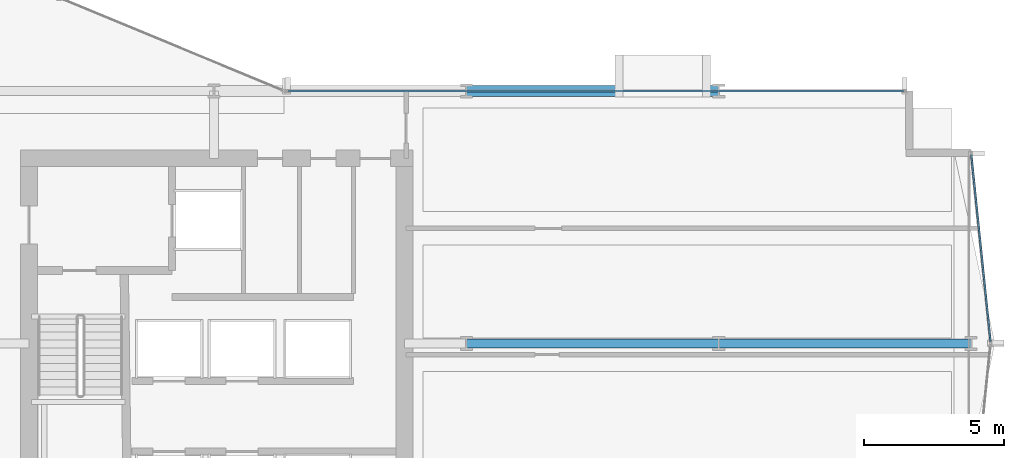
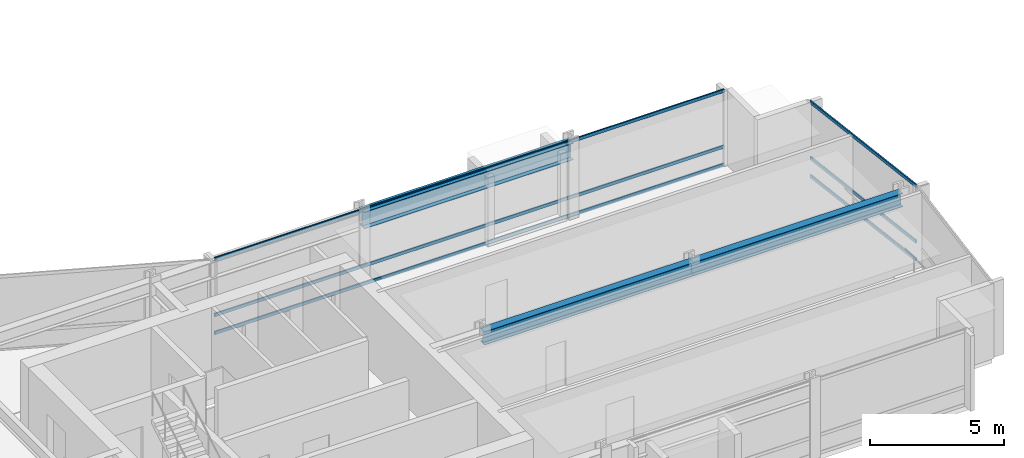
# One storey, part 16 of 34: 6 members, 3 beams, 2 elements without a shape of their own.
"""IFC4 building model written with IfcOpenShell, lengths in metres."""

from ifc_helpers import new_model, si_unit, direction, frame, origin, origin_2d, place, context, subcontext, project, spatial, hollow_rectangle, i_section, extrude, material, layer, layer_set, material_profile, profile_set, type_object, element, aggregate, save


model = new_model("IFC4")

# Units and contexts
model_context = context("Model", 3, precision=1e-05, world=origin(), true_north=direction((0.0, 1.0)))
body_context = subcontext(model_context, "Body", "Model", "MODEL_VIEW")
ifc_project = project(units=[si_unit("LENGTHUNIT", "METRE"), si_unit("AREAUNIT", "SQUARE_METRE"), si_unit("VOLUMEUNIT", "CUBIC_METRE"), si_unit("PLANEANGLEUNIT", "RADIAN"), si_unit("MASSUNIT", "GRAM", prefix="KILO")], contexts=[model_context])

# Site, building, storey
site_placement = place(None, origin())
site = spatial("IfcSite", under=ifc_project, at=site_placement, CompositionType="ELEMENT")
building_placement = place(site_placement, origin())
building = spatial("IfcBuilding", under=site, at=building_placement, Name="Solvaryn Broadcast Tower", CompositionType="ELEMENT")
storey_placement = place(building_placement, frame((0.0, 0.0, 50.800048828125)))
storey = spatial("IfcBuildingStorey", under=building, at=storey_placement, Name="L11", CompositionType="ELEMENT", Elevation=50.800048828125)

# Beams
ifc_material_1 = material(Name="Steel ASTM A992 Grade 50", Category="steel")
ifc_material_profile_1 = material_profile(ifc_material_1, i_section(OverallWidth=0.323974609375, OverallDepth=0.611083984375, WebThickness=0.0126953125, FlangeThickness=0.01904296875, FilletRadius=0.014892578125, at=origin_2d()))
ifc_profile_set_1 = profile_set([ifc_material_profile_1], Name="Steel ASTM A992 Grade 50")
beam_type_1 = type_object("IfcBeamType", Name="BM-B1-W24X104", PredefinedType="BEAM", material=ifc_profile_set_1)
for number, where, z_axis, x_axis, name in (
    (1, (45.0, 18.0, 3.114501953125), (1.0, 0.0, 0.0), (0.0, 1.0, 0.0), "L11 Primary Beam X (45-54 @ Y=18)"),
    (2, (54.0, 18.0, 3.114501953125), (1.0, 0.0, 0.0), (0.0, 1.0, 0.0), "L11 Primary Beam X (54-63 @ Y=18)"),
):
    element("IfcBeam", number, at=place(storey_placement, frame(where, z_axis=z_axis, x_axis=x_axis)), inside=storey, type_object=beam_type_1, Name=name, PredefinedType="BEAM", context=body_context, shape_type="SweptSolid", body=[
        extrude(i_section(OverallWidth=0.323974609375, OverallDepth=0.611083984375, WebThickness=0.0126953125, FlangeThickness=0.01904296875, FilletRadius=0.014892578125, at=origin_2d()), origin(), (0.0, 0.0, 1.0), 9.0),
    ])
ifc_material_2 = material(Name="Steel ASTM A992 Grade 50", Category="steel")
ifc_material_profile_2 = material_profile(ifc_material_2, i_section(OverallWidth=0.381103515625, OverallDepth=0.77294921875, WebThickness=0.0166015625, FlangeThickness=0.027099609375, FilletRadius=0.01806640625, at=origin_2d()))
ifc_profile_set_2 = profile_set([ifc_material_profile_2], Name="Steel ASTM A992 Grade 50")
beam_type_2 = type_object("IfcBeamType", Name="BM-SP1-W30X173", PredefinedType="USERDEFINED", material=ifc_profile_set_2)
beam_placement = place(storey_placement, frame((45.0, 27.0, 3.033447265625), z_axis=(1.0, 0.0, 0.0), x_axis=(0.0, 1.0, 0.0)))
element("IfcBeam", 3, at=beam_placement, inside=storey, type_object=beam_type_2, Name="L11 Spandrel Beam X (45-54 @ Y=27)", ObjectType="SPANDREL", PredefinedType="USERDEFINED", context=body_context, shape_type="SweptSolid", body=[
    extrude(i_section(OverallWidth=0.381103515625, OverallDepth=0.77294921875, WebThickness=0.0166015625, FlangeThickness=0.027099609375, FilletRadius=0.01806640625, at=origin_2d()), origin(), (0.0, 0.0, 1.0), 9.0),
])

# Curtain wall, members
ifc_material_3 = material(Name="Aluminium and Terracotta Unitised Curtain Wall", Category="masonry")
ifc_layer = layer(ifc_material_3, 0.199951171875)
ifc_layer_set = layer_set([ifc_layer], Name="CW-SYS2-LOWMID")
curtain_wall_type = type_object("IfcCurtainWallType", Name="CW-SYS2-LOWMID", PredefinedType="NOTDEFINED", material=ifc_layer_set)
curtain_wall_1_placement = place(storey_placement, origin())
curtain_wall_1 = element("IfcCurtainWall", 4, at=curtain_wall_1_placement, inside=storey, type_object=curtain_wall_type, Name="L11 Curtain Wall ET1", PredefinedType="NOTDEFINED")
ifc_material_4 = material(Name="Anodised Aluminium 6063-T6", Category="aluminium")
ifc_material_profile_3 = material_profile(ifc_material_4, hollow_rectangle(XDim=0.06494140625, YDim=0.14990234375, WallThickness=0.00390625, InnerFilletRadius=0.00390625, OuterFilletRadius=0.008056640625, at=origin_2d()))
ifc_profile_set_3 = profile_set([ifc_material_profile_3], Name="Anodised Aluminium 6063-T6")
member_type = type_object("IfcMemberType", Name="CW-TRN-150", PredefinedType="USERDEFINED", material=ifc_profile_set_3)
member_1_placement = place(storey_placement, frame((63.006103515625, 24.740234375, 0.030029296875), z_axis=(0.102404277363, -0.994742863245, 0.0), x_axis=(0.994742863245, 0.102404277363, 0.0)))
member_1 = element("IfcMember", 5, at=member_1_placement, type_object=member_type, Name="CWS2 transom 1.1", ObjectType="TRANSOM", PredefinedType="USERDEFINED", context=body_context, shape_type="SweptSolid", body=[
    extrude(hollow_rectangle(XDim=0.06494140625, YDim=0.14990234375, WallThickness=0.00390625, InnerFilletRadius=0.00390625, OuterFilletRadius=0.008056640625, at=origin_2d()), origin(), (0.0, 0.0, 1.0), 6.716064453125),
])
member_2_placement = place(storey_placement, frame((63.006103515625, 24.740234375, 0.849853515625), z_axis=(0.102404277363, -0.994742863245, 0.0), x_axis=(0.994742863245, 0.102404277363, 0.0)))
member_2 = element("IfcMember", 6, at=member_2_placement, type_object=member_type, Name="CWS2 transom 1.2", ObjectType="TRANSOM", PredefinedType="USERDEFINED", context=body_context, shape_type="SweptSolid", body=[
    extrude(hollow_rectangle(XDim=0.06494140625, YDim=0.14990234375, WallThickness=0.00390625, InnerFilletRadius=0.00390625, OuterFilletRadius=0.008056640625, at=origin_2d()), origin(), (0.0, 0.0, 1.0), 6.716064453125),
])
member_3_placement = place(storey_placement, frame((63.006103515625, 24.740234375, 3.389892578125), z_axis=(0.102404277363, -0.994742863245, 0.0), x_axis=(0.994742863245, 0.102404277363, 0.0)))
member_3 = element("IfcMember", 7, at=member_3_placement, type_object=member_type, Name="CWS2 transom 1.3", ObjectType="TRANSOM", PredefinedType="USERDEFINED", context=body_context, shape_type="SweptSolid", body=[
    extrude(hollow_rectangle(XDim=0.06494140625, YDim=0.14990234375, WallThickness=0.00390625, InnerFilletRadius=0.00390625, OuterFilletRadius=0.008056640625, at=origin_2d()), origin(), (0.0, 0.0, 1.0), 6.716064453125),
])
aggregate(curtain_wall_1, [member_1, member_2, member_3])

curtain_wall_2_placement = place(storey_placement, origin())
curtain_wall_2 = element("IfcCurtainWall", 8, at=curtain_wall_2_placement, inside=storey, type_object=curtain_wall_type, Name="L11 Curtain Wall IH", PredefinedType="NOTDEFINED")
member_4_placement = place(storey_placement, frame((38.659912109375, 27.0, 0.030029296875), z_axis=(1.0, 0.0, 0.0), x_axis=(0.0, 1.0, 0.0)))
member_4 = element("IfcMember", 9, at=member_4_placement, type_object=member_type, Name="CWS2 transom 1.1", ObjectType="TRANSOM", PredefinedType="USERDEFINED", context=body_context, shape_type="SweptSolid", body=[
    extrude(hollow_rectangle(XDim=0.06494140625, YDim=0.14990234375, WallThickness=0.00390625, InnerFilletRadius=0.00390625, OuterFilletRadius=0.008056640625, at=origin_2d()), origin(), (0.0, 0.0, 1.0), 21.93017578125),
])
member_5_placement = place(storey_placement, frame((38.659912109375, 27.0, 0.849853515625), z_axis=(1.0, 0.0, 0.0), x_axis=(0.0, 1.0, 0.0)))
member_5 = element("IfcMember", 10, at=member_5_placement, type_object=member_type, Name="CWS2 transom 1.2", ObjectType="TRANSOM", PredefinedType="USERDEFINED", context=body_context, shape_type="SweptSolid", body=[
    extrude(hollow_rectangle(XDim=0.06494140625, YDim=0.14990234375, WallThickness=0.00390625, InnerFilletRadius=0.00390625, OuterFilletRadius=0.008056640625, at=origin_2d()), origin(), (0.0, 0.0, 1.0), 21.93017578125),
])
member_6_placement = place(storey_placement, frame((38.659912109375, 27.0, 3.389892578125), z_axis=(1.0, 0.0, 0.0), x_axis=(0.0, 1.0, 0.0)))
member_6 = element("IfcMember", 11, at=member_6_placement, type_object=member_type, Name="CWS2 transom 1.3", ObjectType="TRANSOM", PredefinedType="USERDEFINED", context=body_context, shape_type="SweptSolid", body=[
    extrude(hollow_rectangle(XDim=0.06494140625, YDim=0.14990234375, WallThickness=0.00390625, InnerFilletRadius=0.00390625, OuterFilletRadius=0.008056640625, at=origin_2d()), origin(), (0.0, 0.0, 1.0), 21.93017578125),
])
aggregate(curtain_wall_2, [member_4, member_5, member_6])

save(model, "model.ifc")
